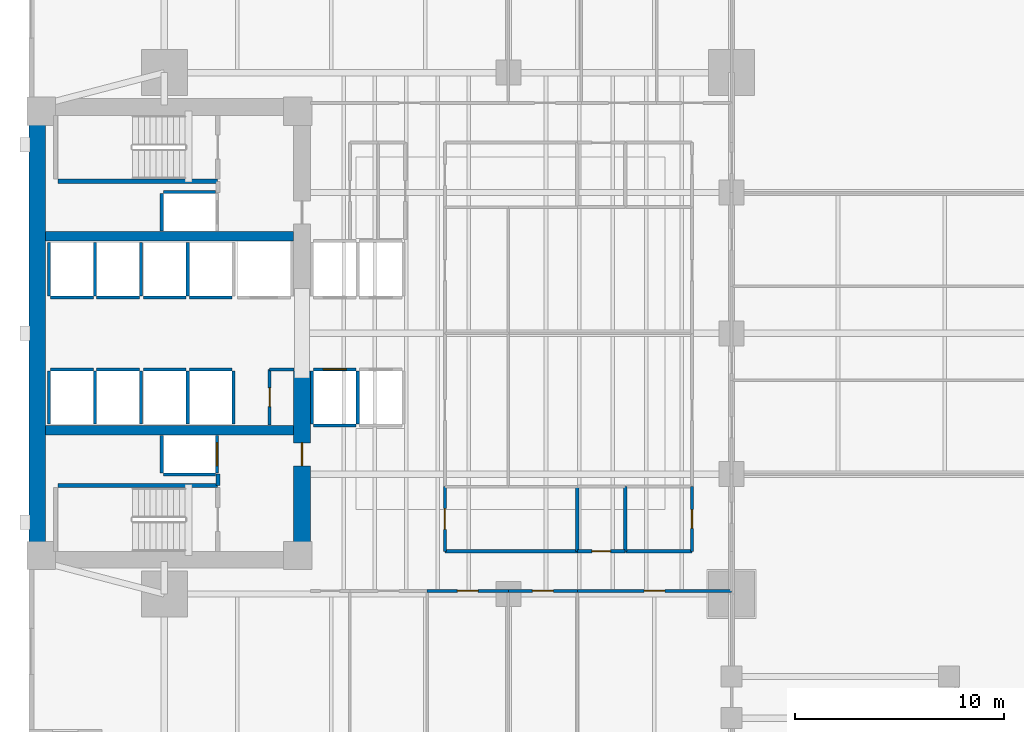
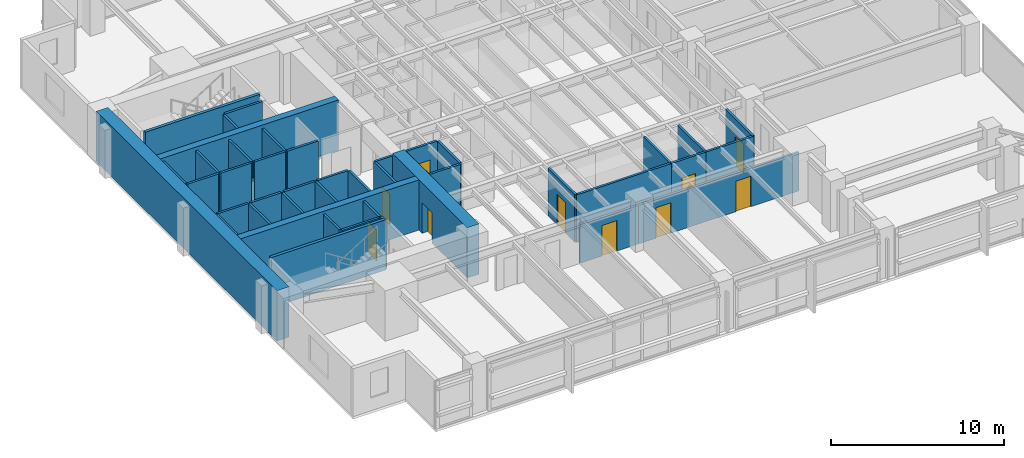
# One storey, part 8 of 15: 45 walls, 10 doors, 10 openings.
"""IFC4 building model written with IfcOpenShell, lengths in metres."""

from ifc_helpers import new_model, si_unit, direction, frame, frame_2d, origin, place, context, subcontext, project, spatial, rectangle, extrude, material, layer, layer_set, type_object, element, fill, save


model = new_model("IFC4")

# Units and contexts
model_context = context("Model", 3, precision=1e-05, world=origin(), true_north=direction((0.0, 1.0)))
body_context = subcontext(model_context, "Body", "Model", "MODEL_VIEW")
ifc_project = project(units=[si_unit("LENGTHUNIT", "METRE"), si_unit("AREAUNIT", "SQUARE_METRE"), si_unit("VOLUMEUNIT", "CUBIC_METRE"), si_unit("PLANEANGLEUNIT", "RADIAN"), si_unit("MASSUNIT", "GRAM", prefix="KILO")], contexts=[model_context])

# Site, building, storey
site_placement = place(None, origin())
site = spatial("IfcSite", under=ifc_project, at=site_placement, CompositionType="ELEMENT")
building_placement = place(site_placement, origin())
building = spatial("IfcBuilding", under=site, at=building_placement, Name="Kinhvarn Gate Tower", CompositionType="ELEMENT")
storey_placement = place(building_placement, frame((0.0, 0.0, 78.85009765625)))
storey = spatial("IfcBuildingStorey", under=building, at=storey_placement, Name="L20", CompositionType="ELEMENT", Elevation=78.85009765625)

# Walls
ifc_material_1 = material(Name="Concrete C50/60", Category="concrete")
ifc_layer_1 = layer(ifc_material_1, 0.449951171875)
ifc_layer_set_1 = layer_set([ifc_layer_1], Name="Concrete C50/60")
wall_type_1 = type_object("IfcWallType", Name="WL-CORE-450", PredefinedType="SHEAR", material=ifc_layer_set_1)
for number, where, z_axis, x_axis, name in (
    (1, (5.300048828125, 20.60009765625, 0.0), (0.0, 0.0, 1.0), (1.0, 0.0, 0.0), "Core South Spine Shear Wall L20 450 mm"),
    (2, (5.300048828125, 29.89990234375, 0.0), (0.0, 0.0, 1.0), (1.0, 0.0, 0.0), "Core North Spine Shear Wall L20 450 mm"),
):
    element("IfcWall", number, at=place(storey_placement, frame(where, z_axis=z_axis, x_axis=x_axis)), inside=storey, type_object=wall_type_1, Name=name, PredefinedType="SHEAR", context=body_context, shape_type="SweptSolid", body=[
        extrude(rectangle(XDim=11.89990234375, YDim=0.449951171875, at=frame_2d((5.949951171875, 0.0))), origin(), (0.0, 0.0, 1.0), 3.5498046875),
    ])

# Wall, opening, door
ifc_material_2 = material(Name="Concrete C70/85", Category="concrete")
ifc_layer_2 = layer(ifc_material_2, 0.800048828125)
ifc_layer_set_2 = layer_set([ifc_layer_2], Name="Concrete C70/85")
wall_type_2 = type_object("IfcWallType", Name="WL-CORE-800", PredefinedType="SHEAR", material=ifc_layer_set_2)
wall_1_placement = place(storey_placement, frame((17.60009765625, 14.800048828125, 0.0), z_axis=(0.0, 0.0, 1.0), x_axis=(0.0, 1.0, 0.0)))
wall_1 = element("IfcWall", 3, at=wall_1_placement, inside=storey, type_object=wall_type_2, Name="Core East-South Shear Pier L20 800 mm", PredefinedType="SHEAR", context=body_context, shape_type="SweptSolid", body=[
    extrude(rectangle(XDim=8.64990234375, YDim=0.800048828125, at=frame_2d((4.324951171875, 0.0))), origin(), (0.0, 0.0, 1.0), 3.5498046875),
])
opening_1_placement = place(wall_1_placement, frame((4.10009765625, 0.0, 0.0)))
opening_1 = element("IfcOpeningElement", 4, at=opening_1_placement, cuts=wall_1, Name="Opening FD-02", PredefinedType="OPENING", context=body_context, shape_type="SweptSolid", body=[
    extrude(rectangle(XDim=1.10009765625, YDim=2.14990234375, at=frame_2d((0.550048828125, 1.074951171875))), frame((0.0, 0.41015625, 0.0), z_axis=(0.0, -1.0, 0.0), x_axis=(1.0, 0.0, 0.0)), (0.0, 0.0, 1.0), 0.820068359375),
])
ifc_material_3 = material(Name="Anodised aluminium AW-6063", Category="aluminium")
door_type_1 = type_object("IfcDoorType", Name="DR-FD-1100", OperationType="NOTDEFINED", PredefinedType="DOOR", material=ifc_material_3)
door_1_placement = place(opening_1_placement, origin())
door_1 = element("IfcDoor", 5, at=door_1_placement, inside=storey, type_object=door_type_1, Name="Firefighting Lobby Core Door (L20)", OperationType="SINGLE_SWING_RIGHT", OverallHeight=2.14990234375, OverallWidth=1.10009765625, PredefinedType="DOOR", context=body_context, shape_type="SweptSolid", body=[
    extrude(rectangle(XDim=1.10009765625, YDim=2.14990234375, at=frame_2d((0.550048828125, 1.074951171875))), frame((0.0, 0.02490234375, 0.0), z_axis=(0.0, -1.0, 0.0), x_axis=(1.0, 0.0, 0.0)), (0.0, 0.0, 1.0), 0.050048828125),
])
fill(opening_1, door_1)

# Walls
ifc_layer_3 = layer(ifc_material_2, 0.800048828125)
ifc_layer_set_3 = layer_set([ifc_layer_3], Name="Concrete C70/85")
wall_type_3 = type_object("IfcWallType", Name="WL-COREX-800", PredefinedType="SHEAR", material=ifc_layer_set_3)
wall_2_placement = place(storey_placement, frame((4.89990234375, 14.800048828125, 0.0), z_axis=(0.0, 0.0, 1.0), x_axis=(0.0, 1.0, 0.0)))
element("IfcWall", 6, at=wall_2_placement, inside=storey, type_object=wall_type_3, Name="Core West Shear Wall L20 800 mm", PredefinedType="SHEAR", context=body_context, shape_type="SweptSolid", body=[
    extrude(rectangle(XDim=20.89990234375, YDim=0.800048828125, at=frame_2d((10.449951171875, 0.0))), origin(), (0.0, 0.0, 1.0), 3.5498046875),
])
ifc_material_4 = material(Name="Gypsum acoustic partition board")
ifc_layer_4 = layer(ifc_material_4, 0.14990234375)
ifc_layer_set_4 = layer_set([ifc_layer_4], Name="Gypsum acoustic partition board")
wall_type_4 = type_object("IfcWallType", Name="WL-PLM-150", PredefinedType="PLUMBINGWALL", material=ifc_layer_set_4)
for number, where, z_axis, x_axis, name in (
    (7, (33.10009765625, 14.800048828125, 0.0), (0.0, 0.0, 1.0), (0.0, 1.0, 0.0), "Interior Partition PLW-150 (L20)"),
    (8, (30.800048828125, 14.800048828125, 0.0), (0.0, 0.0, 1.0), (0.0, 1.0, 0.0), "Interior Partition PLW-150 (L20)"),
):
    element("IfcWall", number, at=place(storey_placement, frame(where, z_axis=z_axis, x_axis=x_axis)), inside=storey, type_object=wall_type_4, Name=name, PredefinedType="PLUMBINGWALL", context=body_context, shape_type="SweptSolid", body=[
        extrude(rectangle(XDim=3.099853515625, YDim=0.14990234375, at=frame_2d((1.5498046875, 0.0))), origin(), (0.0, 0.0, 1.0), 3.369873046875),
    ])
ifc_layer_5 = layer(ifc_material_4, 0.14990234375)
ifc_layer_set_5 = layer_set([ifc_layer_5], Name="Gypsum acoustic partition board")
wall_type_5 = type_object("IfcWallType", Name="WL-PLM-150F", PredefinedType="PLUMBINGWALL", material=ifc_layer_set_5)
wall_3_placement = place(storey_placement, frame((33.10009765625, 14.800048828125, 0.0), z_axis=(0.0, 0.0, 1.0), x_axis=(1.0, 0.0, 0.0)))
element("IfcWall", 9, at=wall_3_placement, inside=storey, type_object=wall_type_5, Name="Interior Partition PLW-150F (L20)", PredefinedType="PLUMBINGWALL", context=body_context, shape_type="SweptSolid", body=[
    extrude(rectangle(XDim=3.199951171875, YDim=0.14990234375, at=frame_2d((1.60009765625, 0.0))), origin(), (0.0, 0.0, 1.0), 3.369873046875),
])

# Wall, opening, door
wall_4_placement = place(storey_placement, frame((30.800048828125, 14.800048828125, 0.0), z_axis=(0.0, 0.0, 1.0), x_axis=(1.0, 0.0, 0.0)))
wall_4 = element("IfcWall", 10, at=wall_4_placement, inside=storey, type_object=wall_type_5, Name="Interior Partition PLW-150F (L20)", PredefinedType="PLUMBINGWALL", context=body_context, shape_type="SweptSolid", body=[
    extrude(rectangle(XDim=2.300048828125, YDim=0.14990234375, at=frame_2d((1.14990234375, 0.0))), origin(), (0.0, 0.0, 1.0), 3.369873046875),
])
opening_2_placement = place(wall_4_placement, frame((0.699951171875, 0.0, 0.0)))
opening_2 = element("IfcOpeningElement", 11, at=opening_2_placement, cuts=wall_4, Name="Opening FD-04", PredefinedType="OPENING", context=body_context, shape_type="SweptSolid", body=[
    extrude(rectangle(XDim=0.89990234375, YDim=2.10009765625, at=frame_2d((0.449951171875, 1.050048828125))), frame((0.0, 0.0849609375, 0.0), z_axis=(0.0, -1.0, 0.0), x_axis=(1.0, 0.0, 0.0)), (0.0, 0.0, 1.0), 0.169921875),
])
door_type_2 = type_object("IfcDoorType", Name="DR-FD-900", OperationType="NOTDEFINED", PredefinedType="DOOR", material=ifc_material_3)
door_2_placement = place(opening_2_placement, origin())
door_2 = element("IfcDoor", 12, at=door_2_placement, inside=storey, type_object=door_type_2, Name="Rated Riser & Service Closet Fire Door 900x2100 mm (L20)", OperationType="SINGLE_SWING_LEFT", OverallHeight=2.10009765625, OverallWidth=0.89990234375, PredefinedType="DOOR", context=body_context, shape_type="SweptSolid", body=[
    extrude(rectangle(XDim=0.89990234375, YDim=2.10009765625, at=frame_2d((0.449951171875, 1.050048828125))), frame((0.0, 0.02490234375, 0.0), z_axis=(0.0, -1.0, 0.0), x_axis=(1.0, 0.0, 0.0)), (0.0, 0.0, 1.0), 0.050048828125),
])
fill(opening_2, door_2)

wall_5_placement = place(storey_placement, frame((36.300048828125, 14.800048828125, 0.0), z_axis=(0.0, 0.0, 1.0), x_axis=(0.0, 1.0, 0.0)))
wall_5 = element("IfcWall", 13, at=wall_5_placement, inside=storey, type_object=wall_type_5, Name="Interior Partition PLW-150F (L20)", PredefinedType="PLUMBINGWALL", context=body_context, shape_type="SweptSolid", body=[
    extrude(rectangle(XDim=3.099853515625, YDim=0.14990234375, at=frame_2d((1.5498046875, 0.0))), origin(), (0.0, 0.0, 1.0), 3.369873046875),
])
opening_3_placement = place(wall_5_placement, frame((1.10009765625, 0.0, 0.0)))
opening_3 = element("IfcOpeningElement", 14, at=opening_3_placement, cuts=wall_5, Name="Opening FD-04", PredefinedType="OPENING", context=body_context, shape_type="SweptSolid", body=[
    extrude(rectangle(XDim=0.89990234375, YDim=2.10009765625, at=frame_2d((0.449951171875, 1.050048828125))), frame((0.0, 0.0849609375, 0.0), z_axis=(0.0, -1.0, 0.0), x_axis=(1.0, 0.0, 0.0)), (0.0, 0.0, 1.0), 0.169921875),
])
door_3_placement = place(opening_3_placement, origin())
door_3 = element("IfcDoor", 15, at=door_3_placement, inside=storey, type_object=door_type_2, Name="Rated Riser & Service Closet Fire Door 900x2100 mm (L20)", OperationType="SINGLE_SWING_RIGHT", OverallHeight=2.10009765625, OverallWidth=0.89990234375, PredefinedType="DOOR", context=body_context, shape_type="SweptSolid", body=[
    extrude(rectangle(XDim=0.89990234375, YDim=2.10009765625, at=frame_2d((0.449951171875, 1.050048828125))), frame((0.0, 0.02490234375, 0.0), z_axis=(0.0, -1.0, 0.0), x_axis=(1.0, 0.0, 0.0)), (0.0, 0.0, 1.0), 0.050048828125),
])
fill(opening_3, door_3)

ifc_layer_6 = layer(ifc_material_4, 0.14990234375)
ifc_layer_set_6 = layer_set([ifc_layer_6], Name="Gypsum acoustic partition board")
wall_type_6 = type_object("IfcWallType", Name="WL-PRT-150F", PredefinedType="PARTITIONING", material=ifc_layer_set_6)
wall_6_placement = place(storey_placement, frame((16.050048828125, 20.85009765625, 0.0), z_axis=(0.0, 0.0, 1.0), x_axis=(0.0, 1.0, 0.0)))
wall_6 = element("IfcWall", 16, at=wall_6_placement, inside=storey, type_object=wall_type_6, Name="Interior Partition PW-150F (L20)", PredefinedType="PARTITIONING", context=body_context, shape_type="SweptSolid", body=[
    extrude(rectangle(XDim=2.669921875, YDim=0.14990234375, at=frame_2d((1.3349609375, 0.0))), origin(), (0.0, 0.0, 1.0), 3.369873046875),
])
opening_4_placement = place(wall_6_placement, frame((0.885009765625, 0.0, 0.0)))
opening_4 = element("IfcOpeningElement", 17, at=opening_4_placement, cuts=wall_6, Name="Opening FD-04", PredefinedType="OPENING", context=body_context, shape_type="SweptSolid", body=[
    extrude(rectangle(XDim=0.89990234375, YDim=2.10009765625, at=frame_2d((0.449951171875, 1.050048828125))), frame((0.0, 0.0849609375, 0.0), z_axis=(0.0, -1.0, 0.0), x_axis=(1.0, 0.0, 0.0)), (0.0, 0.0, 1.0), 0.169921875),
])
door_4_placement = place(opening_4_placement, origin())
door_4 = element("IfcDoor", 18, at=door_4_placement, inside=storey, type_object=door_type_2, Name="Rated Riser & Service Closet Fire Door 900x2100 mm (L20)", OperationType="SINGLE_SWING_RIGHT", OverallHeight=2.10009765625, OverallWidth=0.89990234375, PredefinedType="DOOR", context=body_context, shape_type="SweptSolid", body=[
    extrude(rectangle(XDim=0.89990234375, YDim=2.10009765625, at=frame_2d((0.449951171875, 1.050048828125))), frame((0.0, 0.02490234375, 0.0), z_axis=(0.0, -1.0, 0.0), x_axis=(1.0, 0.0, 0.0)), (0.0, 0.0, 1.0), 0.050048828125),
])
fill(opening_4, door_4)

# Wall
wall_7_placement = place(storey_placement, frame((16.050048828125, 23.52001953125, 0.0), z_axis=(0.0, 0.0, 1.0), x_axis=(1.0, 0.0, 0.0)))
element("IfcWall", 19, at=wall_7_placement, inside=storey, type_object=wall_type_6, Name="Interior Partition PW-150F (L20)", PredefinedType="PARTITIONING", context=body_context, shape_type="SweptSolid", body=[
    extrude(rectangle(XDim=1.169921875, YDim=0.14990234375, at=frame_2d((0.5849609375, 0.0))), origin(), (0.0, 0.0, 1.0), 3.369873046875),
])

# Wall, opening, door
wall_8_placement = place(storey_placement, frame((24.449951171875, 14.800048828125, 0.0), z_axis=(0.0, 0.0, 1.0), x_axis=(0.0, 1.0, 0.0)))
wall_8 = element("IfcWall", 20, at=wall_8_placement, inside=storey, type_object=wall_type_6, Name="Interior Partition PW-150F (L20)", PredefinedType="PARTITIONING", context=body_context, shape_type="SweptSolid", body=[
    extrude(rectangle(XDim=3.099853515625, YDim=0.14990234375, at=frame_2d((1.5498046875, 0.0))), origin(), (0.0, 0.0, 1.0), 3.369873046875),
])
opening_5_placement = place(wall_8_placement, frame((1.050048828125, 0.0, 0.0)))
opening_5 = element("IfcOpeningElement", 21, at=opening_5_placement, cuts=wall_8, Name="Opening ID-02", PredefinedType="OPENING", context=body_context, shape_type="SweptSolid", body=[
    extrude(rectangle(XDim=1.0, YDim=2.14990234375, at=frame_2d((0.5, 1.074951171875))), frame((0.0, 0.0849609375, 0.0), z_axis=(0.0, -1.0, 0.0), x_axis=(1.0, 0.0, 0.0)), (0.0, 0.0, 1.0), 0.169921875),
])
door_type_3 = type_object("IfcDoorType", Name="DR-INT-1000", OperationType="NOTDEFINED", PredefinedType="DOOR", material=ifc_material_3)
door_5_placement = place(opening_5_placement, origin())
door_5 = element("IfcDoor", 22, at=door_5_placement, inside=storey, type_object=door_type_3, Name="Standard Office & Meeting Room Door 1000x2150 mm (L20)", OperationType="SINGLE_SWING_RIGHT", OverallHeight=2.14990234375, OverallWidth=1.0, PredefinedType="DOOR", context=body_context, shape_type="SweptSolid", body=[
    extrude(rectangle(XDim=1.0, YDim=2.14990234375, at=frame_2d((0.5, 1.074951171875))), frame((0.0, 0.02490234375, 0.0), z_axis=(0.0, -1.0, 0.0), x_axis=(1.0, 0.0, 0.0)), (0.0, 0.0, 1.0), 0.050048828125),
])
fill(opening_5, door_5)

# Wall
wall_9_placement = place(storey_placement, frame((24.449951171875, 14.800048828125, 0.0), z_axis=(0.0, 0.0, 1.0), x_axis=(1.0, 0.0, 0.0)))
element("IfcWall", 23, at=wall_9_placement, inside=storey, type_object=wall_type_6, Name="Interior Partition PW-150F (L20)", PredefinedType="PARTITIONING", context=body_context, shape_type="SweptSolid", body=[
    extrude(rectangle(XDim=6.35009765625, YDim=0.14990234375, at=frame_2d((3.175048828125, 0.0))), origin(), (0.0, 0.0, 1.0), 3.369873046875),
])

# Wall, opening, door
wall_10_placement = place(storey_placement, frame((23.60009765625, 12.89990234375, 0.0), z_axis=(0.0, 0.0, 1.0), x_axis=(1.0, 0.0, 0.0)))
wall_10 = element("IfcWall", 24, at=wall_10_placement, inside=storey, type_object=wall_type_6, Name="Interior Partition PW-150F (L20)", PredefinedType="PARTITIONING", context=body_context, shape_type="SweptSolid", body=[
    extrude(rectangle(XDim=3.89990234375, YDim=0.14990234375, at=frame_2d((1.949951171875, 0.0))), origin(), (0.0, 0.0, 1.0), 2.719970703125),
])
opening_6_placement = place(wall_10_placement, frame((1.449951171875, 0.0, 0.0)))
opening_6 = element("IfcOpeningElement", 25, at=opening_6_placement, cuts=wall_10, Name="Opening ID-02", PredefinedType="OPENING", context=body_context, shape_type="SweptSolid", body=[
    extrude(rectangle(XDim=1.0, YDim=2.14990234375, at=frame_2d((0.5, 1.074951171875))), frame((0.0, 0.0849609375, 0.0), z_axis=(0.0, -1.0, 0.0), x_axis=(1.0, 0.0, 0.0)), (0.0, 0.0, 1.0), 0.169921875),
])
door_6_placement = place(opening_6_placement, origin())
door_6 = element("IfcDoor", 26, at=door_6_placement, inside=storey, type_object=door_type_3, Name="Standard Office & Meeting Room Door 1000x2150 mm (L20)", OperationType="SINGLE_SWING_RIGHT", OverallHeight=2.14990234375, OverallWidth=1.0, PredefinedType="DOOR", context=body_context, shape_type="SweptSolid", body=[
    extrude(rectangle(XDim=1.0, YDim=2.14990234375, at=frame_2d((0.5, 1.074951171875))), frame((0.0, 0.02490234375, 0.0), z_axis=(0.0, -1.0, 0.0), x_axis=(1.0, 0.0, 0.0)), (0.0, 0.0, 1.0), 0.050048828125),
])
fill(opening_6, door_6)

wall_11_placement = place(storey_placement, frame((27.5, 12.89990234375, 0.0), z_axis=(0.0, 0.0, 1.0), x_axis=(1.0, 0.0, 0.0)))
wall_11 = element("IfcWall", 27, at=wall_11_placement, inside=storey, type_object=wall_type_6, Name="Interior Partition PW-150F (L20)", PredefinedType="PARTITIONING", context=body_context, shape_type="SweptSolid", body=[
    extrude(rectangle(XDim=3.300048828125, YDim=0.14990234375, at=frame_2d((1.64990234375, 0.0))), origin(), (0.0, 0.0, 1.0), 2.719970703125),
])
opening_7_placement = place(wall_11_placement, frame((1.14990234375, 0.0, 0.0)))
opening_7 = element("IfcOpeningElement", 28, at=opening_7_placement, cuts=wall_11, Name="Opening ID-02", PredefinedType="OPENING", context=body_context, shape_type="SweptSolid", body=[
    extrude(rectangle(XDim=1.0, YDim=2.14990234375, at=frame_2d((0.5, 1.074951171875))), frame((0.0, 0.0849609375, 0.0), z_axis=(0.0, -1.0, 0.0), x_axis=(1.0, 0.0, 0.0)), (0.0, 0.0, 1.0), 0.169921875),
])
door_7_placement = place(opening_7_placement, origin())
door_7 = element("IfcDoor", 29, at=door_7_placement, inside=storey, type_object=door_type_3, Name="Standard Office & Meeting Room Door 1000x2150 mm (L20)", OperationType="SINGLE_SWING_LEFT", OverallHeight=2.14990234375, OverallWidth=1.0, PredefinedType="DOOR", context=body_context, shape_type="SweptSolid", body=[
    extrude(rectangle(XDim=1.0, YDim=2.14990234375, at=frame_2d((0.5, 1.074951171875))), frame((0.0, 0.02490234375, 0.0), z_axis=(0.0, -1.0, 0.0), x_axis=(1.0, 0.0, 0.0)), (0.0, 0.0, 1.0), 0.050048828125),
])
fill(opening_7, door_7)

wall_12_placement = place(storey_placement, frame((30.800048828125, 12.89990234375, 0.0), z_axis=(0.0, 0.0, 1.0), x_axis=(1.0, 0.0, 0.0)))
wall_12 = element("IfcWall", 30, at=wall_12_placement, inside=storey, type_object=wall_type_6, Name="Interior Partition PW-150F (L20)", PredefinedType="PARTITIONING", context=body_context, shape_type="SweptSolid", body=[
    extrude(rectangle(XDim=7.39990234375, YDim=0.14990234375, at=frame_2d((3.699951171875, 0.0))), origin(), (0.0, 0.0, 1.0), 2.719970703125),
])
opening_8_placement = place(wall_12_placement, frame((3.199951171875, 0.0, 0.0)))
opening_8 = element("IfcOpeningElement", 31, at=opening_8_placement, cuts=wall_12, Name="Opening ID-02", PredefinedType="OPENING", context=body_context, shape_type="SweptSolid", body=[
    extrude(rectangle(XDim=1.0, YDim=2.14990234375, at=frame_2d((0.5, 1.074951171875))), frame((0.0, 0.0849609375, 0.0), z_axis=(0.0, -1.0, 0.0), x_axis=(1.0, 0.0, 0.0)), (0.0, 0.0, 1.0), 0.169921875),
])
door_8_placement = place(opening_8_placement, origin())
door_8 = element("IfcDoor", 32, at=door_8_placement, inside=storey, type_object=door_type_3, Name="Standard Office & Meeting Room Door 1000x2150 mm (L20)", OperationType="SINGLE_SWING_RIGHT", OverallHeight=2.14990234375, OverallWidth=1.0, PredefinedType="DOOR", context=body_context, shape_type="SweptSolid", body=[
    extrude(rectangle(XDim=1.0, YDim=2.14990234375, at=frame_2d((0.5, 1.074951171875))), frame((0.0, 0.02490234375, 0.0), z_axis=(0.0, -1.0, 0.0), x_axis=(1.0, 0.0, 0.0)), (0.0, 0.0, 1.0), 0.050048828125),
])
fill(opening_8, door_8)

# Walls
ifc_layer_7 = layer(ifc_material_4, 0.199951171875)
ifc_layer_set_7 = layer_set([ifc_layer_7], Name="Gypsum acoustic partition board")
wall_type_7 = type_object("IfcWallType", Name="WL-PRT-200", PredefinedType="PARTITIONING", material=ifc_layer_set_7)
wall_13_placement = place(storey_placement, frame((13.580078125, 17.9599609375, 0.0), z_axis=(0.0, 0.0, 1.0), x_axis=(0.0, 1.0, 0.0)))
element("IfcWall", 33, at=wall_13_placement, inside=storey, type_object=wall_type_7, Name="Interior Partition PW-200 (L20)", PredefinedType="PARTITIONING", context=body_context, shape_type="SweptSolid", body=[
    extrude(rectangle(XDim=0.5400390625, YDim=0.199951171875, at=frame_2d((0.27001953125, 0.0))), origin(), (0.0, 0.0, 1.0), 3.369873046875),
])
ifc_layer_8 = layer(ifc_material_4, 0.14990234375)
ifc_layer_set_8 = layer_set([ifc_layer_8], Name="Gypsum acoustic partition board")
wall_type_8 = type_object("IfcWallType", Name="WL-SHF-150", PredefinedType="PARTITIONING", material=ifc_layer_set_8)
wall_14_placement = place(storey_placement, frame((18.14990234375, 20.824951171875, 0.0), z_axis=(0.0, 0.0, 1.0), x_axis=(1.0, 0.0, 0.0)))
element("IfcWall", 34, at=wall_14_placement, inside=storey, type_object=wall_type_8, Name="Elevator PL-01 Hoistway Wall S (L20)", PredefinedType="PARTITIONING", context=body_context, shape_type="SweptSolid", body=[
    extrude(rectangle(XDim=2.050048828125, YDim=0.14990234375, at=frame_2d((1.02490234375, 0.0))), origin(), (0.0, 0.0, 1.0), 3.369873046875),
])

# Wall, opening, door
wall_15_placement = place(storey_placement, frame((18.14990234375, 23.52490234375, 0.0), z_axis=(0.0, 0.0, 1.0), x_axis=(1.0, 0.0, 0.0)))
wall_15 = element("IfcWall", 35, at=wall_15_placement, inside=storey, type_object=wall_type_8, Name="Elevator PL-01 Landing Wall (L20)", PredefinedType="PARTITIONING", context=body_context, shape_type="SweptSolid", body=[
    extrude(rectangle(XDim=2.050048828125, YDim=0.14990234375, at=frame_2d((1.02490234375, 0.0))), origin(), (0.0, 0.0, 1.0), 3.369873046875),
])
opening_9_placement = place(wall_15_placement, frame((0.47509765625, 0.0, 0.0)))
opening_9 = element("IfcOpeningElement", 36, at=opening_9_placement, cuts=wall_15, Name="Opening LD-01", PredefinedType="OPENING", context=body_context, shape_type="SweptSolid", body=[
    extrude(rectangle(XDim=1.10009765625, YDim=2.199951171875, at=frame_2d((0.550048828125, 1.10009765625))), frame((0.0, 0.0849609375, 0.0), z_axis=(0.0, -1.0, 0.0), x_axis=(1.0, 0.0, 0.0)), (0.0, 0.0, 1.0), 0.169921875),
])
door_type_4 = type_object("IfcDoorType", Name="DR-LND-PAS", OperationType="NOTDEFINED", PredefinedType="DOOR", material=ifc_material_3)
door_9_placement = place(opening_9_placement, origin())
door_9 = element("IfcDoor", 37, at=door_9_placement, inside=storey, type_object=door_type_4, Name="Elevator PL-01 Sliding Landing Door (L20)", OperationType="DOUBLE_DOOR_SLIDING", OverallHeight=2.199951171875, OverallWidth=1.10009765625, PredefinedType="DOOR", context=body_context, shape_type="SweptSolid", body=[
    extrude(rectangle(XDim=1.10009765625, YDim=2.199951171875, at=frame_2d((0.550048828125, 1.10009765625))), frame((0.0, 0.02490234375, 0.0), z_axis=(0.0, -1.0, 0.0), x_axis=(1.0, 0.0, 0.0)), (0.0, 0.0, 1.0), 0.050048828125),
])
fill(opening_9, door_9)

# Walls
for number, where, z_axis, x_axis, name in (
    (38, (18.074951171875, 20.89990234375, 0.0), (0.0, 0.0, 1.0), (0.0, 1.0, 0.0), "Elevator PL-01 Hoistway Wall W (L20)"),
    (39, (20.27490234375, 20.89990234375, 0.0), (0.0, 0.0, 1.0), (0.0, 1.0, 0.0), "Elevator PL-01 Hoistway Wall E (L20)"),
):
    element("IfcWall", number, at=place(storey_placement, frame(where, z_axis=z_axis, x_axis=x_axis)), inside=storey, type_object=wall_type_8, Name=name, PredefinedType="PARTITIONING", context=body_context, shape_type="SweptSolid", body=[
        extrude(rectangle(XDim=2.550048828125, YDim=0.14990234375, at=frame_2d((1.27490234375, 0.0))), origin(), (0.0, 0.0, 1.0), 3.369873046875),
    ])
wall_16_placement = place(storey_placement, frame((5.550048828125, 23.52490234375, 0.0), z_axis=(0.0, 0.0, 1.0), x_axis=(1.0, 0.0, 0.0)))
element("IfcWall", 40, at=wall_16_placement, inside=storey, type_object=wall_type_8, Name="Elevator PM-05 Landing Wall (L20)", PredefinedType="PARTITIONING", context=body_context, shape_type="SweptSolid", body=[
    extrude(rectangle(XDim=2.050048828125, YDim=0.14990234375, at=frame_2d((1.02490234375, 0.0))), origin(), (0.0, 0.0, 1.0), 3.369873046875),
])
for number, where, z_axis, x_axis, name in (
    (41, (5.47509765625, 20.89990234375, 0.0), (0.0, 0.0, 1.0), (0.0, 1.0, 0.0), "Elevator PM-05 Hoistway Wall W (L20)"),
    (42, (7.675048828125, 20.89990234375, 0.0), (0.0, 0.0, 1.0), (0.0, 1.0, 0.0), "Elevator PM-05 Hoistway Wall E (L20)"),
):
    element("IfcWall", number, at=place(storey_placement, frame(where, z_axis=z_axis, x_axis=x_axis)), inside=storey, type_object=wall_type_8, Name=name, PredefinedType="PARTITIONING", context=body_context, shape_type="SweptSolid", body=[
        extrude(rectangle(XDim=2.550048828125, YDim=0.14990234375, at=frame_2d((1.27490234375, 0.0))), origin(), (0.0, 0.0, 1.0), 3.369873046875),
    ])
wall_17_placement = place(storey_placement, frame((7.75, 23.52490234375, 0.0), z_axis=(0.0, 0.0, 1.0), x_axis=(1.0, 0.0, 0.0)))
element("IfcWall", 43, at=wall_17_placement, inside=storey, type_object=wall_type_8, Name="Elevator PM-06 Landing Wall (L20)", PredefinedType="PARTITIONING", context=body_context, shape_type="SweptSolid", body=[
    extrude(rectangle(XDim=2.050048828125, YDim=0.14990234375, at=frame_2d((1.02490234375, 0.0))), origin(), (0.0, 0.0, 1.0), 3.369873046875),
])
wall_18_placement = place(storey_placement, frame((9.875, 20.89990234375, 0.0), z_axis=(0.0, 0.0, 1.0), x_axis=(0.0, 1.0, 0.0)))
element("IfcWall", 44, at=wall_18_placement, inside=storey, type_object=wall_type_8, Name="Elevator PM-06 Hoistway Wall E (L20)", PredefinedType="PARTITIONING", context=body_context, shape_type="SweptSolid", body=[
    extrude(rectangle(XDim=2.550048828125, YDim=0.14990234375, at=frame_2d((1.27490234375, 0.0))), origin(), (0.0, 0.0, 1.0), 3.369873046875),
])
wall_19_placement = place(storey_placement, frame((5.550048828125, 26.97509765625, 0.0), z_axis=(0.0, 0.0, 1.0), x_axis=(1.0, 0.0, 0.0)))
element("IfcWall", 45, at=wall_19_placement, inside=storey, type_object=wall_type_8, Name="Elevator PM-07 Landing Wall (L20)", PredefinedType="PARTITIONING", context=body_context, shape_type="SweptSolid", body=[
    extrude(rectangle(XDim=2.050048828125, YDim=0.14990234375, at=frame_2d((1.02490234375, 0.0))), origin(), (0.0, 0.0, 1.0), 3.369873046875),
])
for number, where, z_axis, x_axis, name in (
    (46, (5.47509765625, 27.050048828125, 0.0), (0.0, 0.0, 1.0), (0.0, 1.0, 0.0), "Elevator PM-07 Hoistway Wall W (L20)"),
    (47, (7.675048828125, 27.050048828125, 0.0), (0.0, 0.0, 1.0), (0.0, 1.0, 0.0), "Elevator PM-07 Hoistway Wall E (L20)"),
):
    element("IfcWall", number, at=place(storey_placement, frame(where, z_axis=z_axis, x_axis=x_axis)), inside=storey, type_object=wall_type_8, Name=name, PredefinedType="PARTITIONING", context=body_context, shape_type="SweptSolid", body=[
        extrude(rectangle(XDim=2.550048828125, YDim=0.14990234375, at=frame_2d((1.27490234375, 0.0))), origin(), (0.0, 0.0, 1.0), 3.369873046875),
    ])
wall_20_placement = place(storey_placement, frame((7.75, 26.97509765625, 0.0), z_axis=(0.0, 0.0, 1.0), x_axis=(1.0, 0.0, 0.0)))
element("IfcWall", 48, at=wall_20_placement, inside=storey, type_object=wall_type_8, Name="Elevator PM-08 Landing Wall (L20)", PredefinedType="PARTITIONING", context=body_context, shape_type="SweptSolid", body=[
    extrude(rectangle(XDim=2.050048828125, YDim=0.14990234375, at=frame_2d((1.02490234375, 0.0))), origin(), (0.0, 0.0, 1.0), 3.369873046875),
])
wall_21_placement = place(storey_placement, frame((9.875, 27.050048828125, 0.0), z_axis=(0.0, 0.0, 1.0), x_axis=(0.0, 1.0, 0.0)))
element("IfcWall", 49, at=wall_21_placement, inside=storey, type_object=wall_type_8, Name="Elevator PM-08 Hoistway Wall E (L20)", PredefinedType="PARTITIONING", context=body_context, shape_type="SweptSolid", body=[
    extrude(rectangle(XDim=2.550048828125, YDim=0.14990234375, at=frame_2d((1.27490234375, 0.0))), origin(), (0.0, 0.0, 1.0), 3.369873046875),
])
wall_22_placement = place(storey_placement, frame((10.0, 23.52490234375, 0.0), z_axis=(0.0, 0.0, 1.0), x_axis=(1.0, 0.0, 0.0)))
element("IfcWall", 50, at=wall_22_placement, inside=storey, type_object=wall_type_8, Name="Elevator PH-09 Landing Wall (L20)", PredefinedType="PARTITIONING", context=body_context, shape_type="SweptSolid", body=[
    extrude(rectangle(XDim=2.050048828125, YDim=0.14990234375, at=frame_2d((1.02490234375, 0.0))), origin(), (0.0, 0.0, 1.0), 3.369873046875),
])
wall_23_placement = place(storey_placement, frame((12.125, 20.89990234375, 0.0), z_axis=(0.0, 0.0, 1.0), x_axis=(0.0, 1.0, 0.0)))
element("IfcWall", 51, at=wall_23_placement, inside=storey, type_object=wall_type_8, Name="Elevator PH-09 Hoistway Wall E (L20)", PredefinedType="PARTITIONING", context=body_context, shape_type="SweptSolid", body=[
    extrude(rectangle(XDim=2.550048828125, YDim=0.14990234375, at=frame_2d((1.27490234375, 0.0))), origin(), (0.0, 0.0, 1.0), 3.369873046875),
])
wall_24_placement = place(storey_placement, frame((12.199951171875, 23.52490234375, 0.0), z_axis=(0.0, 0.0, 1.0), x_axis=(1.0, 0.0, 0.0)))
element("IfcWall", 52, at=wall_24_placement, inside=storey, type_object=wall_type_8, Name="Elevator PH-10 Landing Wall (L20)", PredefinedType="PARTITIONING", context=body_context, shape_type="SweptSolid", body=[
    extrude(rectangle(XDim=2.050048828125, YDim=0.14990234375, at=frame_2d((1.02490234375, 0.0))), origin(), (0.0, 0.0, 1.0), 3.369873046875),
])
wall_25_placement = place(storey_placement, frame((14.324951171875, 20.89990234375, 0.0), z_axis=(0.0, 0.0, 1.0), x_axis=(0.0, 1.0, 0.0)))
element("IfcWall", 53, at=wall_25_placement, inside=storey, type_object=wall_type_8, Name="Elevator PH-10 Hoistway Wall E (L20)", PredefinedType="PARTITIONING", context=body_context, shape_type="SweptSolid", body=[
    extrude(rectangle(XDim=2.550048828125, YDim=0.14990234375, at=frame_2d((1.27490234375, 0.0))), origin(), (0.0, 0.0, 1.0), 3.369873046875),
])
wall_26_placement = place(storey_placement, frame((10.0, 26.97509765625, 0.0), z_axis=(0.0, 0.0, 1.0), x_axis=(1.0, 0.0, 0.0)))
element("IfcWall", 54, at=wall_26_placement, inside=storey, type_object=wall_type_8, Name="Elevator PH-11 Landing Wall (L20)", PredefinedType="PARTITIONING", context=body_context, shape_type="SweptSolid", body=[
    extrude(rectangle(XDim=2.050048828125, YDim=0.14990234375, at=frame_2d((1.02490234375, 0.0))), origin(), (0.0, 0.0, 1.0), 3.369873046875),
])
wall_27_placement = place(storey_placement, frame((12.125, 27.050048828125, 0.0), z_axis=(0.0, 0.0, 1.0), x_axis=(0.0, 1.0, 0.0)))
element("IfcWall", 55, at=wall_27_placement, inside=storey, type_object=wall_type_8, Name="Elevator PH-11 Hoistway Wall E (L20)", PredefinedType="PARTITIONING", context=body_context, shape_type="SweptSolid", body=[
    extrude(rectangle(XDim=2.550048828125, YDim=0.14990234375, at=frame_2d((1.27490234375, 0.0))), origin(), (0.0, 0.0, 1.0), 3.369873046875),
])
wall_28_placement = place(storey_placement, frame((12.199951171875, 26.97509765625, 0.0), z_axis=(0.0, 0.0, 1.0), x_axis=(1.0, 0.0, 0.0)))
element("IfcWall", 56, at=wall_28_placement, inside=storey, type_object=wall_type_8, Name="Elevator PH-12 Landing Wall (L20)", PredefinedType="PARTITIONING", context=body_context, shape_type="SweptSolid", body=[
    extrude(rectangle(XDim=2.050048828125, YDim=0.14990234375, at=frame_2d((1.02490234375, 0.0))), origin(), (0.0, 0.0, 1.0), 3.369873046875),
])
wall_29_placement = place(storey_placement, frame((10.949951171875, 18.47509765625, 0.0), z_axis=(0.0, 0.0, 1.0), x_axis=(1.0, 0.0, 0.0)))
element("IfcWall", 57, at=wall_29_placement, inside=storey, type_object=wall_type_8, Name="Elevator FF1 Hoistway Wall S (L20)", PredefinedType="PARTITIONING", context=body_context, shape_type="SweptSolid", body=[
    extrude(rectangle(XDim=2.5, YDim=0.14990234375, at=frame_2d((1.25, 0.0))), origin(), (0.0, 0.0, 1.0), 3.369873046875),
])
wall_30_placement = place(storey_placement, frame((10.875, 18.550048828125, 0.0), z_axis=(0.0, 0.0, 1.0), x_axis=(0.0, 1.0, 0.0)))
element("IfcWall", 58, at=wall_30_placement, inside=storey, type_object=wall_type_8, Name="Elevator FF1 Hoistway Wall W (L20)", PredefinedType="PARTITIONING", context=body_context, shape_type="SweptSolid", body=[
    extrude(rectangle(XDim=1.800048828125, YDim=0.14990234375, at=frame_2d((0.89990234375, 0.0))), origin(), (0.0, 0.0, 1.0), 3.369873046875),
])

# Wall, opening, door
wall_31_placement = place(storey_placement, frame((13.52490234375, 18.550048828125, 0.0), z_axis=(0.0, 0.0, 1.0), x_axis=(0.0, 1.0, 0.0)))
wall_31 = element("IfcWall", 59, at=wall_31_placement, inside=storey, type_object=wall_type_8, Name="Elevator FF1 Landing Wall (L20)", PredefinedType="PARTITIONING", context=body_context, shape_type="SweptSolid", body=[
    extrude(rectangle(XDim=1.800048828125, YDim=0.14990234375, at=frame_2d((0.89990234375, 0.0))), origin(), (0.0, 0.0, 1.0), 3.369873046875),
])
opening_10_placement = place(wall_31_placement, frame((0.35009765625, 0.0, 0.0)))
opening_10 = element("IfcOpeningElement", 60, at=opening_10_placement, cuts=wall_31, Name="Opening LD-03", PredefinedType="OPENING", context=body_context, shape_type="SweptSolid", body=[
    extrude(rectangle(XDim=1.10009765625, YDim=2.199951171875, at=frame_2d((0.550048828125, 1.10009765625))), frame((0.0, 0.0849609375, 0.0), z_axis=(0.0, -1.0, 0.0), x_axis=(1.0, 0.0, 0.0)), (0.0, 0.0, 1.0), 0.169921875),
])
door_type_5 = type_object("IfcDoorType", Name="DR-LND-FF", OperationType="NOTDEFINED", PredefinedType="DOOR", material=ifc_material_3)
door_10_placement = place(opening_10_placement, origin())
door_10 = element("IfcDoor", 61, at=door_10_placement, inside=storey, type_object=door_type_5, Name="Elevator FF1 Sliding Landing Door (L20)", OperationType="DOUBLE_DOOR_SLIDING", OverallHeight=2.199951171875, OverallWidth=1.10009765625, PredefinedType="DOOR", context=body_context, shape_type="SweptSolid", body=[
    extrude(rectangle(XDim=1.10009765625, YDim=2.199951171875, at=frame_2d((0.550048828125, 1.10009765625))), frame((0.0, 0.02490234375, 0.0), z_axis=(0.0, -1.0, 0.0), x_axis=(1.0, 0.0, 0.0)), (0.0, 0.0, 1.0), 0.050048828125),
])
fill(opening_10, door_10)

# Walls
wall_32_placement = place(storey_placement, frame((10.949951171875, 32.02490234375, 0.0), z_axis=(0.0, 0.0, 1.0), x_axis=(1.0, 0.0, 0.0)))
element("IfcWall", 62, at=wall_32_placement, inside=storey, type_object=wall_type_8, Name="Elevator FF2 Hoistway Wall N (L20)", PredefinedType="PARTITIONING", context=body_context, shape_type="SweptSolid", body=[
    extrude(rectangle(XDim=2.5, YDim=0.14990234375, at=frame_2d((1.25, 0.0))), origin(), (0.0, 0.0, 1.0), 3.369873046875),
])
wall_33_placement = place(storey_placement, frame((10.875, 30.14990234375, 0.0), z_axis=(0.0, 0.0, 1.0), x_axis=(0.0, 1.0, 0.0)))
element("IfcWall", 63, at=wall_33_placement, inside=storey, type_object=wall_type_8, Name="Elevator FF2 Hoistway Wall W (L20)", PredefinedType="PARTITIONING", context=body_context, shape_type="SweptSolid", body=[
    extrude(rectangle(XDim=1.800048828125, YDim=0.14990234375, at=frame_2d((0.89990234375, 0.0))), origin(), (0.0, 0.0, 1.0), 3.369873046875),
])
ifc_material_5 = material(Name="Concrete C40/50", Category="concrete")
ifc_layer_9 = layer(ifc_material_5, 0.199951171875)
ifc_layer_set_9 = layer_set([ifc_layer_9], Name="Concrete C40/50")
wall_type_9 = type_object("IfcWallType", Name="WL-SHF-200", PredefinedType="SOLIDWALL", material=ifc_layer_set_9)
for number, where, z_axis, x_axis, name in (
    (64, (5.89990234375, 17.9599609375, 0.0), (0.0, 0.0, 1.0), (1.0, 0.0, 0.0), "Stair ST1 North Shaft Wall (L20)"),
    (65, (5.89990234375, 32.5400390625, 0.0), (0.0, 0.0, 1.0), (1.0, 0.0, 0.0), "Stair ST2 South Shaft Wall (L20)"),
):
    element("IfcWall", number, at=place(storey_placement, frame(where, z_axis=z_axis, x_axis=x_axis)), inside=storey, type_object=wall_type_9, Name=name, PredefinedType="SOLIDWALL", context=body_context, shape_type="SweptSolid", body=[
        extrude(rectangle(XDim=7.66015625, YDim=0.199951171875, at=frame_2d((3.830078125, 0.0))), origin(), (0.0, 0.0, 1.0), 3.5498046875),
    ])

save(model, "model.ifc")
